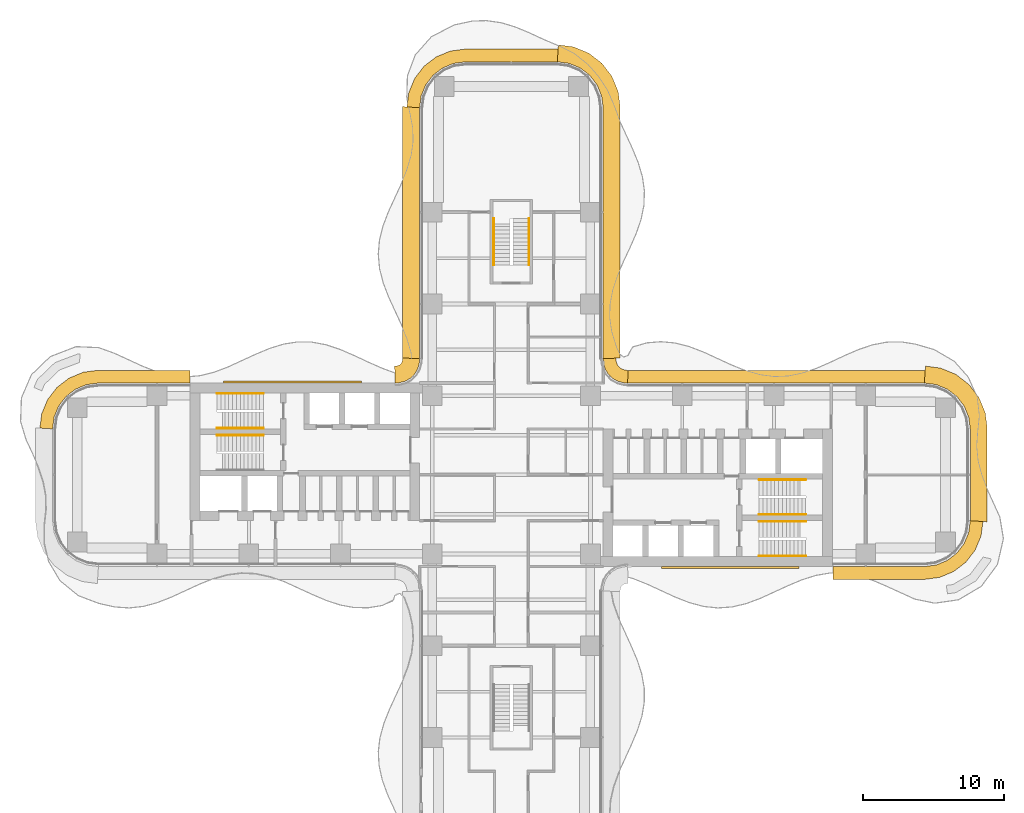
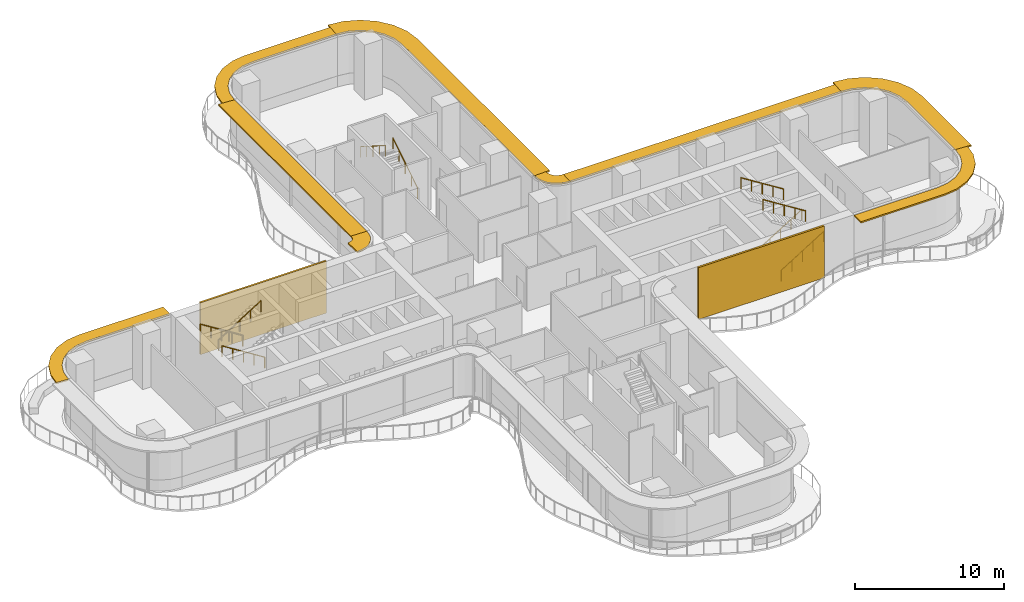
# One storey, part 22 of 22: 9 railings, 9 shading devices, 2 coverings.
"""IFC4 building model written with IfcOpenShell, lengths in metres."""

from ifc_helpers import new_model, si_unit, direction, frame, origin, origin_2d, place, context, subcontext, project, spatial, polyline, circle, outline, extrude, source, transform, mapped, material, layer, layer_set, type_object, element, save


model = new_model("IFC4")

# Units and contexts
model_context = context("Model", 3, precision=1e-05, world=origin(), true_north=direction((0.0, 1.0)))
body_context = subcontext(model_context, "Body", "Model", "MODEL_VIEW")
ifc_project = project(units=[si_unit("LENGTHUNIT", "METRE"), si_unit("AREAUNIT", "SQUARE_METRE"), si_unit("VOLUMEUNIT", "CUBIC_METRE"), si_unit("PLANEANGLEUNIT", "RADIAN"), si_unit("MASSUNIT", "GRAM", prefix="KILO")], contexts=[model_context])

# Site, building, storey
site_placement = place(None, origin())
site = spatial("IfcSite", under=ifc_project, at=site_placement, CompositionType="ELEMENT")
building_placement = place(site_placement, origin())
building = spatial("IfcBuilding", under=site, at=building_placement, Name="Trellis Farm Tower", CompositionType="ELEMENT")
storey_placement = place(building_placement, frame((0.0, 0.0, 56.5)))
storey = spatial("IfcBuildingStorey", under=building, at=storey_placement, Name="L11", CompositionType="ELEMENT", Elevation=56.5)

# Railings
ifc_material_1 = material(Name="Stainless steel", Category="steel")
railing_type = type_object("IfcRailingType", Name="STAIR HANDRAIL 900", PredefinedType="HANDRAIL", material=ifc_material_1)
shared_shape_1 = source(origin(), body_context, "Body", "SweptSolid", [
    extrude(circle(Radius=0.02392578125, at=origin_2d()), frame((0.0, 0.0, 0.8759765625), z_axis=(0.0, 0.846319618018, 0.532675421018), x_axis=(-1.0, 0.0, 0.0)), (0.0, 0.0, 1.0), 3.89892578125),
    extrude(circle(Radius=0.02099609375, at=origin_2d()), origin(), (0.0, 0.0, 1.0), 0.851806640625),
    extrude(circle(Radius=0.02099609375, at=origin_2d()), frame((0.0, 0.824951171875, 0.519287109375)), (0.0, 0.0, 1.0), 0.851806640625),
    extrude(circle(Radius=0.02099609375, at=origin_2d()), frame((0.0, 1.64990234375, 1.03857421875)), (0.0, 0.0, 1.0), 0.851806640625),
    extrude(circle(Radius=0.02099609375, at=origin_2d()), frame((0.0, 2.474853515625, 1.5576171875)), (0.0, 0.0, 1.0), 0.851806640625),
    extrude(circle(Radius=0.02099609375, at=origin_2d()), frame((0.0, 3.2998046875, 2.076904296875)), (0.0, 0.0, 1.0), 0.851806640625),
])
railing_1_placement = place(storey_placement, frame((1.25, 14.85009765625, 0.173095703125)))
element("IfcRailing", 1, at=railing_1_placement, inside=storey, type_object=railing_type, Name="Stair handrail", PredefinedType="HANDRAIL", context=body_context, shape_type="MappedRepresentation", body=[
    mapped(shared_shape_1, transform((0.0, 0.0, 0.0))),
])
shared_shape_2 = source(origin(), body_context, "Body", "SweptSolid", [
    extrude(circle(Radius=0.02392578125, at=origin_2d()), frame((0.0, 0.0, 0.8759765625), z_axis=(0.0, -0.846319618018, 0.532675421018), x_axis=(1.0, 0.0, 0.0)), (0.0, 0.0, 1.0), 3.89892578125),
    extrude(circle(Radius=0.02099609375, at=origin_2d()), origin(), (0.0, 0.0, 1.0), 0.851806640625),
    extrude(circle(Radius=0.02099609375, at=origin_2d()), frame((0.0, -0.824951171875, 0.519287109375)), (0.0, 0.0, 1.0), 0.851806640625),
    extrude(circle(Radius=0.02099609375, at=origin_2d()), frame((0.0, -1.64990234375, 1.03857421875)), (0.0, 0.0, 1.0), 0.851806640625),
    extrude(circle(Radius=0.02099609375, at=origin_2d()), frame((0.0, -2.474853515625, 1.5576171875)), (0.0, 0.0, 1.0), 0.851806640625),
    extrude(circle(Radius=0.02099609375, at=origin_2d()), frame((0.0, -3.2998046875, 2.076904296875)), (0.0, 0.0, 1.0), 0.851806640625),
])
railing_2_placement = place(storey_placement, frame((-1.25, 18.14990234375, 2.423095703125)))
element("IfcRailing", 2, at=railing_2_placement, inside=storey, type_object=railing_type, Name="Stair handrail", PredefinedType="HANDRAIL", context=body_context, shape_type="MappedRepresentation", body=[
    mapped(shared_shape_2, transform((0.0, 0.0, 0.0))),
])
shared_shape_3 = source(origin(), body_context, "Body", "SweptSolid", [
    extrude(circle(Radius=0.02392578125, at=origin_2d()), frame((0.0, 0.0, 0.8759765625), z_axis=(0.846337383501, 0.0, 0.532647194011), x_axis=(0.0, 1.0, 0.0)), (0.0, 0.0, 1.0), 3.899169921875),
    extrude(circle(Radius=0.02099609375, at=origin_2d()), origin(), (0.0, 0.0, 1.0), 0.851806640625),
    extrude(circle(Radius=0.02099609375, at=origin_2d()), frame((0.824951171875, 0.0, 0.519287109375)), (0.0, 0.0, 1.0), 0.851806640625),
    extrude(circle(Radius=0.02099609375, at=origin_2d()), frame((1.64990234375, 0.0, 1.03857421875)), (0.0, 0.0, 1.0), 0.851806640625),
    extrude(circle(Radius=0.02099609375, at=origin_2d()), frame((2.47509765625, 0.0, 1.5576171875)), (0.0, 0.0, 1.0), 0.851806640625),
    extrude(circle(Radius=0.02099609375, at=origin_2d()), frame((3.300048828125, 0.0, 2.076904296875)), (0.0, 0.0, 1.0), 0.851806640625),
])
for number, where, name in (
    (3, (17.550048828125, -5.75, 0.173095703125), "Stair handrail"),
    (4, (17.550048828125, -2.800048828125, 0.173095703125), "Stair handrail"),
    (5, (-20.85009765625, 3.300048828125, 2.423095703125), "Stair handrail"),
):
    element("IfcRailing", number, at=place(storey_placement, frame(where)), inside=storey, type_object=railing_type, Name=name, PredefinedType="HANDRAIL", context=body_context, shape_type="MappedRepresentation", body=[
        mapped(shared_shape_3, transform((0.0, 0.0, 0.0))),
    ])
shared_shape_4 = source(origin(), body_context, "Body", "SweptSolid", [
    extrude(circle(Radius=0.02392578125, at=origin_2d()), frame((0.0, 0.0, 0.8759765625), z_axis=(-0.846337383501, 0.0, 0.532647194011), x_axis=(0.0, -1.0, 0.0)), (0.0, 0.0, 1.0), 3.899169921875),
    extrude(circle(Radius=0.02099609375, at=origin_2d()), origin(), (0.0, 0.0, 1.0), 0.851806640625),
    extrude(circle(Radius=0.02099609375, at=origin_2d()), frame((-0.824951171875, 0.0, 0.519287109375)), (0.0, 0.0, 1.0), 0.851806640625),
    extrude(circle(Radius=0.02099609375, at=origin_2d()), frame((-1.64990234375, 0.0, 1.03857421875)), (0.0, 0.0, 1.0), 0.851806640625),
    extrude(circle(Radius=0.02099609375, at=origin_2d()), frame((-2.47509765625, 0.0, 1.5576171875)), (0.0, 0.0, 1.0), 0.851806640625),
    extrude(circle(Radius=0.02099609375, at=origin_2d()), frame((-3.300048828125, 0.0, 2.076904296875)), (0.0, 0.0, 1.0), 0.851806640625),
])
for number, where, name in (
    (6, (20.85009765625, -3.300048828125, 2.423095703125), "Stair handrail"),
    (7, (20.85009765625, -0.35009765625, 2.423095703125), "Stair handrail"),
    (8, (-17.550048828125, 5.75, 0.173095703125), "Stair handrail"),
    (9, (-17.550048828125, 2.800048828125, 0.173095703125), "Stair handrail"),
):
    element("IfcRailing", number, at=place(storey_placement, frame(where)), inside=storey, type_object=railing_type, Name=name, PredefinedType="HANDRAIL", context=body_context, shape_type="MappedRepresentation", body=[
        mapped(shared_shape_4, transform((0.0, 0.0, 0.0))),
    ])

# Shading devices
ifc_material_2 = material(Name="Aluminium extrusion 6063-T6", Category="aluminium")
ifc_layer_1 = layer(ifc_material_2, 0.1201171875)
ifc_layer_set_1 = layer_set([ifc_layer_1], Name="SUNSHADE BLADE 900")
shading_device_type_1 = type_object("IfcShadingDeviceType", Name="SUNSHADE BLADE 900", PredefinedType="USERDEFINED", material=ifc_layer_set_1)
shared_shape_5 = source(origin(), body_context, "Body", "SweptSolid", [
    extrude(outline(polyline([(22.780029296875, -7.39990234375), (29.30908203125, -7.39990234375), (30.326171875, -7.26611328125), (31.328857421875, -6.850830078125), (32.18994140625, -6.18994140625), (32.850830078125, -5.328857421875), (33.26611328125, -4.326171875), (33.39990234375, -3.30908203125), (32.5, -3.25), (32.38916015625, -4.091064453125), (32.064697265625, -4.875), (31.548095703125, -5.548095703125), (30.875, -6.064697265625), (30.091064453125, -6.38916015625), (29.25, -6.5), (22.780029296875, -6.5), (22.780029296875, -7.39990234375)])), origin(), (0.0, 0.0, 1.0), 0.119873046875),
])
placement_1 = place(storey_placement, frame((0.0, 0.0, 4.090087890625)))
element("IfcShadingDevice", 10, at=placement_1, inside=storey, type_object=shading_device_type_1, Name="SD1 007", ObjectType="SUNSHADE", PredefinedType="USERDEFINED", context=body_context, shape_type="MappedRepresentation", body=[
    mapped(shared_shape_5, transform((0.0, 0.0, 0.0))),
])
ifc_layer_2 = layer(ifc_material_2, 0.1201171875)
ifc_layer_set_2 = layer_set([ifc_layer_2], Name="SUNSHADE BLADE 1200")
shading_device_type_2 = type_object("IfcShadingDeviceType", Name="SUNSHADE BLADE 1200", PredefinedType="USERDEFINED", material=ifc_layer_set_2)
shared_shape_6 = source(origin(), body_context, "Body", "SweptSolid", [
    extrude(outline(polyline([(33.699951171875, -3.32861328125), (33.699951171875, 3.32861328125), (33.558349609375, 4.404541015625), (33.11279296875, 5.480224609375), (32.404052734375, 6.404052734375), (31.480224609375, 7.11279296875), (30.404541015625, 7.558349609375), (29.32861328125, 7.699951171875), (29.25, 6.5), (30.091064453125, 6.38916015625), (30.875, 6.064697265625), (31.548095703125, 5.548095703125), (32.064697265625, 4.875), (32.38916015625, 4.091064453125), (32.5, 3.25), (32.5, -3.25), (33.699951171875, -3.32861328125)])), origin(), (0.0, 0.0, 1.0), 0.119873046875),
])
element("IfcShadingDevice", 11, at=placement_1, inside=storey, type_object=shading_device_type_2, Name="SD2 008", ObjectType="SUNSHADE", PredefinedType="USERDEFINED", context=body_context, shape_type="MappedRepresentation", body=[
    mapped(shared_shape_6, transform((0.0, 0.0, 0.0))),
])
shared_shape_7 = source(origin(), body_context, "Body", "SweptSolid", [
    extrude(outline(polyline([(29.30908203125, 7.39990234375), (8.2607421875, 7.39990234375), (8.2314453125, 6.5), (29.25, 6.5), (29.30908203125, 7.39990234375)])), origin(), (0.0, 0.0, 1.0), 0.119873046875),
])
element("IfcShadingDevice", 12, at=placement_1, inside=storey, type_object=shading_device_type_1, Name="SD1 009", ObjectType="SUNSHADE", PredefinedType="USERDEFINED", context=body_context, shape_type="MappedRepresentation", body=[
    mapped(shared_shape_7, transform((0.0, 0.0, 0.0))),
])
shared_shape_8 = source(origin(), body_context, "Body", "SweptSolid", [
    extrude(outline(polyline([(8.2607421875, 7.39990234375), (8.107666015625, 7.409912109375), (8.091552734375, 7.412109375), (7.85595703125, 7.475341796875), (7.697021484375, 7.567138671875), (7.567138671875, 7.697021484375), (7.475341796875, 7.85595703125), (7.412109375, 8.091552734375), (7.409912109375, 8.107666015625), (7.39990234375, 8.2607421875), (6.5, 8.2314453125), (6.513916015625, 8.01953125), (6.527587890625, 7.91552734375), (6.63671875, 7.508544921875), (6.846923828125, 7.144287109375), (7.144287109375, 6.846923828125), (7.508544921875, 6.63671875), (7.91552734375, 6.527587890625), (8.01953125, 6.513916015625), (8.2314453125, 6.5), (8.2607421875, 7.39990234375)])), origin(), (0.0, 0.0, 1.0), 0.119873046875),
])
element("IfcShadingDevice", 13, at=placement_1, inside=storey, type_object=shading_device_type_1, Name="SD1 010", ObjectType="SUNSHADE", PredefinedType="USERDEFINED", context=body_context, shape_type="MappedRepresentation", body=[
    mapped(shared_shape_8, transform((0.0, 0.0, 0.0))),
])
shared_shape_9 = source(origin(), body_context, "Body", "SweptSolid", [
    extrude(outline(polyline([(7.699951171875, 8.270751953125), (7.699951171875, 26.07861328125), (7.558349609375, 27.154541015625), (7.11279296875, 28.230224609375), (6.404052734375, 29.154052734375), (5.480224609375, 29.86279296875), (4.404541015625, 30.308349609375), (3.32861328125, 30.449951171875), (3.25, 29.25), (4.091064453125, 29.13916015625), (4.875, 28.814697265625), (5.548095703125, 28.298095703125), (6.064697265625, 27.625), (6.38916015625, 26.841064453125), (6.5, 26.0), (6.5, 8.2314453125), (7.699951171875, 8.270751953125)])), origin(), (0.0, 0.0, 1.0), 0.119873046875),
])
element("IfcShadingDevice", 14, at=placement_1, inside=storey, type_object=shading_device_type_2, Name="SD2 011", ObjectType="SUNSHADE", PredefinedType="USERDEFINED", context=body_context, shape_type="MappedRepresentation", body=[
    mapped(shared_shape_9, transform((0.0, 0.0, 0.0))),
])
shared_shape_10 = source(origin(), body_context, "Body", "SweptSolid", [
    extrude(outline(polyline([(3.30908203125, 30.14990234375), (-3.30908203125, 30.14990234375), (-4.326171875, 30.01611328125), (-5.328857421875, 29.600830078125), (-6.18994140625, 28.93994140625), (-6.850830078125, 28.078857421875), (-7.26611328125, 27.076171875), (-7.39990234375, 26.05908203125), (-6.5, 26.0), (-6.38916015625, 26.841064453125), (-6.064697265625, 27.625), (-5.548095703125, 28.298095703125), (-4.875, 28.814697265625), (-4.091064453125, 29.13916015625), (-3.25, 29.25), (3.25, 29.25), (3.30908203125, 30.14990234375)])), origin(), (0.0, 0.0, 1.0), 0.119873046875),
])
element("IfcShadingDevice", 15, at=placement_1, inside=storey, type_object=shading_device_type_1, Name="SD1 012", ObjectType="SUNSHADE", PredefinedType="USERDEFINED", context=body_context, shape_type="MappedRepresentation", body=[
    mapped(shared_shape_10, transform((0.0, 0.0, 0.0))),
])
shared_shape_11 = source(origin(), body_context, "Body", "SweptSolid", [
    extrude(outline(polyline([(-7.699951171875, 26.07861328125), (-7.699951171875, 8.270751953125), (-6.5, 8.2314453125), (-6.5, 26.0), (-7.699951171875, 26.07861328125)])), origin(), (0.0, 0.0, 1.0), 0.119873046875),
])
element("IfcShadingDevice", 16, at=placement_1, inside=storey, type_object=shading_device_type_2, Name="SD2 013", ObjectType="SUNSHADE", PredefinedType="USERDEFINED", context=body_context, shape_type="MappedRepresentation", body=[
    mapped(shared_shape_11, transform((0.0, 0.0, 0.0))),
])
shared_shape_12 = source(origin(), body_context, "Body", "SweptSolid", [
    extrude(outline(polyline([(-7.699951171875, 8.270751953125), (-7.708740234375, 8.13720703125), (-7.70703125, 8.150146484375), (-7.7548828125, 7.9716796875), (-7.80712890625, 7.881103515625), (-7.881103515625, 7.80712890625), (-7.9716796875, 7.7548828125), (-8.150146484375, 7.70703125), (-8.13720703125, 7.708740234375), (-8.270751953125, 7.699951171875), (-8.2314453125, 6.5), (-8.01953125, 6.513916015625), (-7.91552734375, 6.527587890625), (-7.508544921875, 6.63671875), (-7.144287109375, 6.846923828125), (-6.846923828125, 7.144287109375), (-6.63671875, 7.508544921875), (-6.527587890625, 7.91552734375), (-6.513916015625, 8.01953125), (-6.5, 8.2314453125), (-7.699951171875, 8.270751953125)])), origin(), (0.0, 0.0, 1.0), 0.119873046875),
])
element("IfcShadingDevice", 17, at=placement_1, inside=storey, type_object=shading_device_type_2, Name="SD2 014", ObjectType="SUNSHADE", PredefinedType="USERDEFINED", context=body_context, shape_type="MappedRepresentation", body=[
    mapped(shared_shape_12, transform((0.0, 0.0, 0.0))),
])
shared_shape_13 = source(origin(), body_context, "Body", "SweptSolid", [
    extrude(outline(polyline([(-22.780029296875, 7.39990234375), (-29.30908203125, 7.39990234375), (-30.326171875, 7.26611328125), (-31.328857421875, 6.850830078125), (-32.18994140625, 6.18994140625), (-32.850830078125, 5.328857421875), (-33.26611328125, 4.326171875), (-33.39990234375, 3.30908203125), (-32.5, 3.25), (-32.38916015625, 4.091064453125), (-32.064697265625, 4.875), (-31.548095703125, 5.548095703125), (-30.875, 6.064697265625), (-30.091064453125, 6.38916015625), (-29.25, 6.5), (-22.780029296875, 6.5), (-22.780029296875, 7.39990234375)])), origin(), (0.0, 0.0, 1.0), 0.119873046875),
])
element("IfcShadingDevice", 18, at=placement_1, inside=storey, type_object=shading_device_type_1, Name="SD1 015", ObjectType="SUNSHADE", PredefinedType="USERDEFINED", context=body_context, shape_type="MappedRepresentation", body=[
    mapped(shared_shape_13, transform((0.0, 0.0, 0.0))),
])

# Coverings
ifc_material_3 = material(Name="Perforated precast screen (cobogo)", Category="concrete")
ifc_layer_3 = layer(ifc_material_3, 0.14990234375)
ifc_layer_set_3 = layer_set([ifc_layer_3], Name="COBOGO SCREEN PANEL")
covering_type = type_object("IfcCoveringType", Name="COBOGO SCREEN PANEL", PredefinedType="USERDEFINED", material=ifc_layer_set_3)
shared_shape_14 = source(origin(), body_context, "Body", "SweptSolid", [
    extrude(outline(polyline([(10.630615234375, -6.64990234375), (20.380615234375, -6.64990234375), (20.380615234375, -6.5), (10.630615234375, -6.5), (10.630615234375, -6.64990234375)])), origin(), (0.0, 0.0, 1.0), 4.25),
])
placement_2 = place(storey_placement, origin())
element("IfcCovering", 19, at=placement_2, inside=storey, type_object=covering_type, Name="SC1 01", ObjectType="SCREEN", PredefinedType="USERDEFINED", context=body_context, shape_type="MappedRepresentation", body=[
    mapped(shared_shape_14, transform((0.0, 0.0, 0.0))),
])
shared_shape_15 = source(origin(), body_context, "Body", "SweptSolid", [
    extrude(outline(polyline([(-10.630615234375, 6.64990234375), (-20.380615234375, 6.64990234375), (-20.380615234375, 6.5), (-10.630615234375, 6.5), (-10.630615234375, 6.64990234375)])), origin(), (0.0, 0.0, 1.0), 4.25),
])
element("IfcCovering", 20, at=placement_2, inside=storey, type_object=covering_type, Name="SC1 02", ObjectType="SCREEN", PredefinedType="USERDEFINED", context=body_context, shape_type="MappedRepresentation", body=[
    mapped(shared_shape_15, transform((0.0, 0.0, 0.0))),
])

save(model, "model.ifc")
